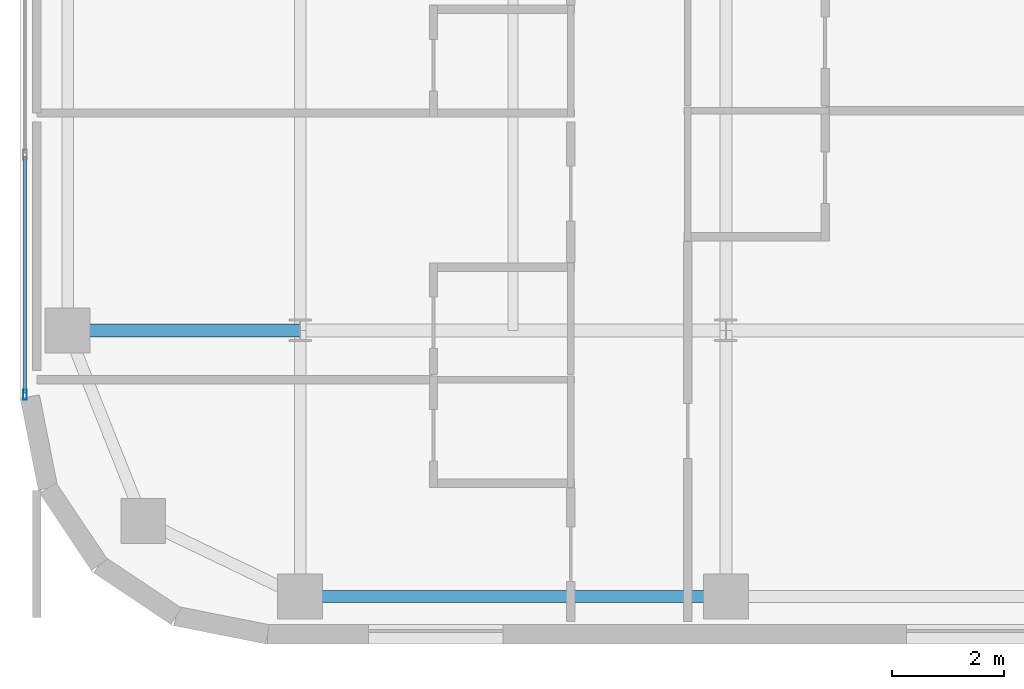
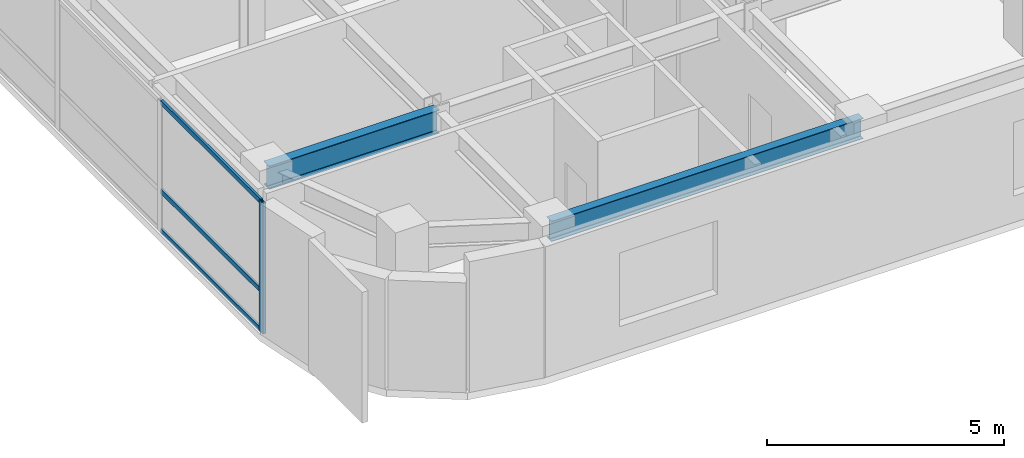
# One storey, part 3 of 24: 4 members, 2 beams, 1 element without a shape of its own.
"""IFC4 building model written with IfcOpenShell, lengths in metres."""

from ifc_helpers import new_model, si_unit, direction, frame, origin, origin_2d, place, context, subcontext, project, spatial, hollow_rectangle, i_section, extrude, source, transform, mapped, material, layer, layer_set, material_profile, profile_set, type_object, type_shapes, element, aggregate, save


model = new_model("IFC4")

# Units and contexts
model_context = context("Model", 3, precision=1e-05, world=origin(), true_north=direction((0.0, 1.0)))
body_context = subcontext(model_context, "Body", "Model", "MODEL_VIEW")
ifc_project = project(units=[si_unit("LENGTHUNIT", "METRE"), si_unit("AREAUNIT", "SQUARE_METRE"), si_unit("VOLUMEUNIT", "CUBIC_METRE"), si_unit("PLANEANGLEUNIT", "RADIAN"), si_unit("MASSUNIT", "GRAM", prefix="KILO")], contexts=[model_context])

# Site, building, storey
site_placement = place(None, origin())
site = spatial("IfcSite", under=ifc_project, at=site_placement, CompositionType="ELEMENT")
building_placement = place(site_placement, origin())
building = spatial("IfcBuilding", under=site, at=building_placement, Name="Tolvann Quenvar Hotel", CompositionType="ELEMENT")
storey_placement = place(building_placement, frame((0.0, 0.0, 157.699951171875)))
storey = spatial("IfcBuildingStorey", under=building, at=storey_placement, Name="L41", CompositionType="ELEMENT", Elevation=157.699951171875)

# Beams
ifc_material_1 = material(Name="Steel Grade 350", Category="steel")
ifc_material_profile_1 = material_profile(ifc_material_1, i_section(OverallWidth=0.208984375, OverallDepth=0.528076171875, WebThickness=0.009521484375, FlangeThickness=0.01318359375, FilletRadius=0.013916015625, at=origin_2d()), Name="530UB82")
ifc_profile_set_1 = profile_set([ifc_material_profile_1], Name="Steel Grade 350")
beam_type_1 = type_object("IfcBeamType", Name="BM_SPAND_530UB82", PredefinedType="SPANDREL", material=ifc_profile_set_1)
shared_shape_1 = source(origin(), body_context, "Body", "SweptSolid", [
    extrude(i_section(OverallWidth=0.208984375, OverallDepth=0.528076171875, WebThickness=0.009521484375, FlangeThickness=0.01318359375, FilletRadius=0.013916015625, at=origin_2d()), origin(), (0.0, 0.0, 1.0), 7.599853515625),
])
type_shapes(beam_type_1, [shared_shape_1])
beam_1_placement = place(storey_placement, frame((7.60009765625, 3.449951171875, 3.10595703125), z_axis=(1.0, 0.0, 0.0), x_axis=(0.0, 1.0, 0.0)))
element("IfcBeam", 1, at=beam_1_placement, inside=storey, type_object=beam_type_1, Name="BM-L41-EW-2-C2-D2", PredefinedType="SPANDREL", context=body_context, shape_type="MappedRepresentation", body=[
    mapped(shared_shape_1, transform((0.0, 0.0, 0.0), x_axis=(1.0, 0.0, 0.0), y_axis=(0.0, 1.0, 0.0), z_axis=(0.0, 0.0, 1.0), scale=1.0)),
])
ifc_material_profile_2 = material_profile(ifc_material_1, i_section(OverallWidth=0.22802734375, OverallDepth=0.60205078125, WebThickness=0.010498046875, FlangeThickness=0.014892578125, FilletRadius=0.013916015625, at=origin_2d()), Name="610UB101")
ifc_profile_set_2 = profile_set([ifc_material_profile_2], Name="Steel Grade 350")
beam_type_2 = type_object("IfcBeamType", Name="BM_GIRD_610UB101", PredefinedType="BEAM", material=ifc_profile_set_2)
shared_shape_2 = source(origin(), body_context, "Body", "SweptSolid", [
    extrude(i_section(OverallWidth=0.22802734375, OverallDepth=0.60205078125, WebThickness=0.010498046875, FlangeThickness=0.014892578125, FilletRadius=0.013916015625, at=origin_2d()), origin(), (0.0, 0.0, 1.0), 4.150146484375),
])
type_shapes(beam_type_2, [shared_shape_2])
beam_2_placement = place(storey_placement, frame((3.449951171875, 8.199951171875, 3.069091796875), z_axis=(1.0, 0.0, 0.0), x_axis=(0.0, 1.0, 0.0)))
element("IfcBeam", 2, at=beam_2_placement, inside=storey, type_object=beam_type_2, Name="BM-L41-EW-3-B3-C3", PredefinedType="BEAM", context=body_context, shape_type="MappedRepresentation", body=[
    mapped(shared_shape_2, transform((0.0, 0.0, 0.0), x_axis=(1.0, 0.0, 0.0), y_axis=(0.0, 1.0, 0.0), z_axis=(0.0, 0.0, 1.0), scale=1.0)),
])

# Curtain wall, members
ifc_material_2 = material(Name="Thermally broken anodised architectural aluminium 6063-T6 and laminated low-E glass", Category="aluminium")
ifc_layer = layer(ifc_material_2, 0.179931640625)
ifc_layer_set = layer_set([ifc_layer], Name="Thermally broken anodised architectural aluminium 6063-T6 and laminated low-E glass")
curtain_wall_type = type_object("IfcCurtainWallType", Name="CW_SYS_BAND_04", PredefinedType="USERDEFINED", material=ifc_layer_set)
curtain_wall_placement = place(storey_placement, origin())
curtain_wall = element("IfcCurtainWall", 3, at=curtain_wall_placement, inside=storey, type_object=curtain_wall_type, Name="Curtain Wall CW-BAND-04 (CWR-L41-E23)", ObjectType="UNITISED CURTAIN WALL", PredefinedType="USERDEFINED")
ifc_material_3 = material(Name="Anodised architectural aluminium 6063-T6 framing", Category="aluminium")
ifc_material_profile_3 = material_profile(ifc_material_3, hollow_rectangle(XDim=0.070068359375, YDim=0.179931640625, WallThickness=0.00390625, at=origin_2d()), Name="180x70x4RHS")
ifc_profile_set_3 = profile_set([ifc_material_profile_3], Name="Anodised architectural aluminium 6063-T6 framing")
member_type_1 = type_object("IfcMemberType", Name="CW_MULL_180x70", PredefinedType="MULLION", material=ifc_profile_set_3)
shared_shape_3 = source(origin(), body_context, "Body", "SweptSolid", [
    extrude(hollow_rectangle(XDim=0.070068359375, YDim=0.179931640625, WallThickness=0.00390625, at=origin_2d()), origin(), (0.0, 0.0, 1.0), 3.3701171875),
])
type_shapes(member_type_1, [shared_shape_3])
member_1_placement = place(storey_placement, frame((2.68994140625, 7.05224609375, 0.0), z_axis=(0.0, 0.0, 1.0), x_axis=(1.0, 0.0, 0.0)))
member_1 = element("IfcMember", 4, at=member_1_placement, type_object=member_type_1, Name="CW-BAND-04 mullion 9", PredefinedType="MULLION", context=body_context, shape_type="MappedRepresentation", body=[
    mapped(shared_shape_3, transform((0.0, 0.0, 0.0), x_axis=(1.0, 0.0, 0.0), y_axis=(0.0, 1.0, 0.0), z_axis=(0.0, 0.0, 1.0), scale=1.0)),
])
ifc_material_profile_4 = material_profile(ifc_material_3, hollow_rectangle(XDim=0.06005859375, YDim=0.1201171875, WallThickness=0.00341796875, at=origin_2d()), Name="120x60x3.5RHS")
ifc_profile_set_4 = profile_set([ifc_material_profile_4], Name="Anodised architectural aluminium 6063-T6 framing")
member_type_2 = type_object("IfcMemberType", Name="CW_TRAN_120x60", PredefinedType="USERDEFINED", material=ifc_profile_set_4)
shared_shape_4 = source(origin(), body_context, "Body", "SweptSolid", [
    extrude(hollow_rectangle(XDim=0.06005859375, YDim=0.1201171875, WallThickness=0.00341796875, at=origin_2d()), origin(), (0.0, 0.0, 1.0), 4.2158203125),
])
type_shapes(member_type_2, [shared_shape_4])
member_2_placement = place(storey_placement, frame((2.68994140625, 11.302978515625, 0.030029296875), z_axis=(0.0, -1.0, 0.0), x_axis=(1.0, 0.0, 0.0)))
member_2 = element("IfcMember", 5, at=member_2_placement, type_object=member_type_2, Name="CW-BAND-04 transom 8.1", ObjectType="TRANSOM", PredefinedType="USERDEFINED", context=body_context, shape_type="MappedRepresentation", body=[
    mapped(shared_shape_4, transform((0.0, 0.0, 0.0), x_axis=(1.0, 0.0, 0.0), y_axis=(0.0, 1.0, 0.0), z_axis=(0.0, 0.0, 1.0), scale=1.0)),
])
member_3_placement = place(storey_placement, frame((2.68994140625, 11.302978515625, 1.050048828125), z_axis=(0.0, -1.0, 0.0), x_axis=(1.0, 0.0, 0.0)))
member_3 = element("IfcMember", 6, at=member_3_placement, type_object=member_type_2, Name="CW-BAND-04 transom 8.2", ObjectType="TRANSOM", PredefinedType="USERDEFINED", context=body_context, shape_type="MappedRepresentation", body=[
    mapped(shared_shape_4, transform((0.0, 0.0, 0.0), x_axis=(1.0, 0.0, 0.0), y_axis=(0.0, 1.0, 0.0), z_axis=(0.0, 0.0, 1.0), scale=1.0)),
])
member_4_placement = place(storey_placement, frame((2.68994140625, 11.302978515625, 3.340087890625), z_axis=(0.0, -1.0, 0.0), x_axis=(1.0, 0.0, 0.0)))
member_4 = element("IfcMember", 7, at=member_4_placement, type_object=member_type_2, Name="CW-BAND-04 transom 8.3", ObjectType="TRANSOM", PredefinedType="USERDEFINED", context=body_context, shape_type="MappedRepresentation", body=[
    mapped(shared_shape_4, transform((0.0, 0.0, 0.0), x_axis=(1.0, 0.0, 0.0), y_axis=(0.0, 1.0, 0.0), z_axis=(0.0, 0.0, 1.0), scale=1.0)),
])
aggregate(curtain_wall, [member_1, member_2, member_3, member_4])

save(model, "model.ifc")
